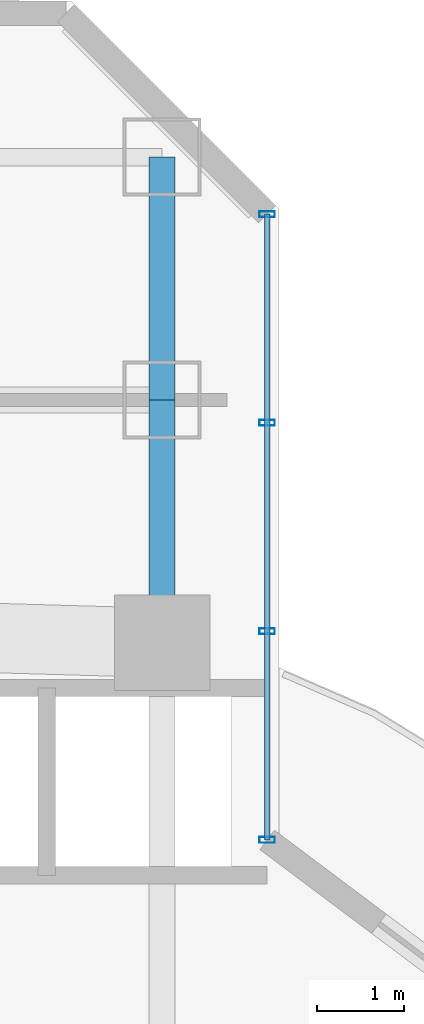
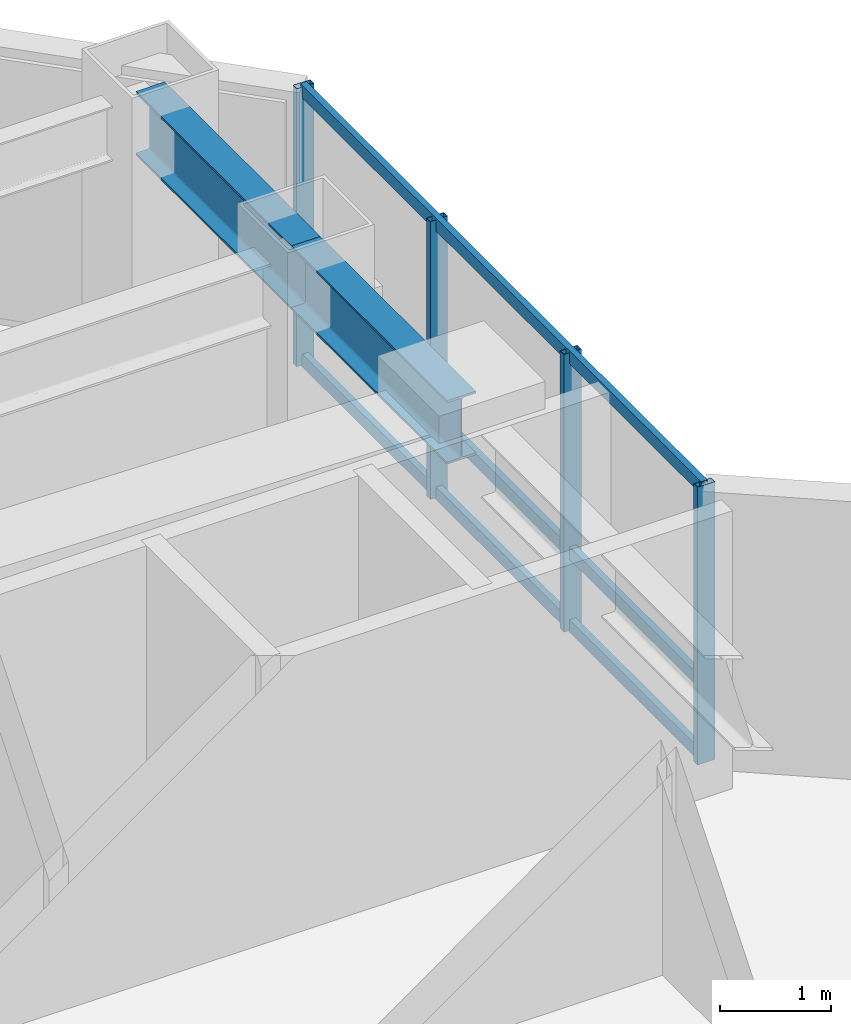
# One storey, part 25 of 36: 7 members, 2 beams, 1 element without a shape of its own.
"""IFC4 building model written with IfcOpenShell, lengths in metres."""

from ifc_helpers import new_model, si_unit, direction, frame, origin, origin_2d, place, context, subcontext, project, spatial, hollow_rectangle, i_section, extrude, material, layer, layer_set, material_profile, profile_set, type_object, element, aggregate, save


model = new_model("IFC4")

# Units and contexts
model_context = context("Model", 3, precision=1e-05, world=origin(), true_north=direction((0.0, 1.0)))
body_context = subcontext(model_context, "Body", "Model", "MODEL_VIEW")
ifc_project = project(units=[si_unit("LENGTHUNIT", "METRE"), si_unit("AREAUNIT", "SQUARE_METRE"), si_unit("VOLUMEUNIT", "CUBIC_METRE"), si_unit("PLANEANGLEUNIT", "RADIAN"), si_unit("MASSUNIT", "GRAM", prefix="KILO")], contexts=[model_context])

# Site, building, storey
site_placement = place(None, origin())
site = spatial("IfcSite", under=ifc_project, at=site_placement, CompositionType="ELEMENT")
building_placement = place(site_placement, origin())
building = spatial("IfcBuilding", under=site, at=building_placement, Name="Hatsunagi Terrace Concourse", CompositionType="ELEMENT")
storey_placement = place(building_placement, frame((0.0, 0.0, 88.0)))
storey = spatial("IfcBuildingStorey", under=building, at=storey_placement, Name="L23", CompositionType="ELEMENT", Elevation=88.0)

# Curtain wall, members
ifc_material_1 = material(Name="Anodised Aluminium Alloy 6063-T5", Category="aluminium")
ifc_layer = layer(ifc_material_1, 0.199951171875)
ifc_layer_set = layer_set([ifc_layer], Name="HotelFacade_CW02")
curtain_wall_type = type_object("IfcCurtainWallType", Name="HotelFacade_CW02", PredefinedType="NOTDEFINED", material=ifc_layer_set)
curtain_wall_placement = place(storey_placement, origin())
curtain_wall = element("IfcCurtainWall", 1, at=curtain_wall_placement, inside=storey, type_object=curtain_wall_type, Name="Unitised Curtain Wall CW-02 CW-L23-13", PredefinedType="NOTDEFINED")
ifc_material_2 = material(Name="Anodised Aluminium Alloy 6063-T5", Category="aluminium")
ifc_material_profile_1 = material_profile(ifc_material_2, hollow_rectangle(XDim=0.070068359375, YDim=0.179931640625, WallThickness=0.00390625, at=origin_2d()), Name="ALU-MUL-180x70x4")
ifc_profile_set_1 = profile_set([ifc_material_profile_1], Name="Anodised Aluminium Alloy 6063-T5")
member_type_1 = type_object("IfcMemberType", Name="CurtainWallMullion_180x70", PredefinedType="MULLION", material=ifc_profile_set_1)
member_1_placement = place(storey_placement, frame((44.860107421875, 47.94189453125, 0.0), z_axis=(0.0, 0.0, 1.0), x_axis=(0.0, -1.0, 0.0)))
member_1 = element("IfcMember", 2, at=member_1_placement, type_object=member_type_1, Name="Curtain Wall Mullion MUL-02", PredefinedType="MULLION", context=body_context, shape_type="SweptSolid", body=[
    extrude(hollow_rectangle(XDim=0.070068359375, YDim=0.179931640625, WallThickness=0.00390625, at=origin_2d()), origin(), (0.0, 0.0, 1.0), 3.050048828125),
])
member_2_placement = place(storey_placement, frame((44.860107421875, 45.5380859375, 0.0), z_axis=(0.0, 0.0, 1.0), x_axis=(0.0, -1.0, 0.0)))
member_2 = element("IfcMember", 3, at=member_2_placement, type_object=member_type_1, Name="Curtain Wall Mullion MUL-02", PredefinedType="MULLION", context=body_context, shape_type="SweptSolid", body=[
    extrude(hollow_rectangle(XDim=0.070068359375, YDim=0.179931640625, WallThickness=0.00390625, at=origin_2d()), origin(), (0.0, 0.0, 1.0), 3.050048828125),
])
member_3_placement = place(storey_placement, frame((44.860107421875, 43.134033203125, 0.0), z_axis=(0.0, 0.0, 1.0), x_axis=(0.0, -1.0, 0.0)))
member_3 = element("IfcMember", 4, at=member_3_placement, type_object=member_type_1, Name="Curtain Wall Mullion MUL-02", PredefinedType="MULLION", context=body_context, shape_type="SweptSolid", body=[
    extrude(hollow_rectangle(XDim=0.070068359375, YDim=0.179931640625, WallThickness=0.00390625, at=origin_2d()), origin(), (0.0, 0.0, 1.0), 3.050048828125),
])
member_4_placement = place(storey_placement, frame((44.860107421875, 40.72998046875, 0.0), z_axis=(0.0, 0.0, 1.0), x_axis=(0.0, -1.0, 0.0)))
member_4 = element("IfcMember", 5, at=member_4_placement, type_object=member_type_1, Name="Curtain Wall Mullion MUL-02", PredefinedType="MULLION", context=body_context, shape_type="SweptSolid", body=[
    extrude(hollow_rectangle(XDim=0.070068359375, YDim=0.179931640625, WallThickness=0.00390625, at=origin_2d()), origin(), (0.0, 0.0, 1.0), 3.050048828125),
])
ifc_material_3 = material(Name="Anodised Aluminium Alloy 6063-T5", Category="aluminium")
ifc_material_profile_2 = material_profile(ifc_material_3, hollow_rectangle(XDim=0.06494140625, YDim=0.139892578125, WallThickness=0.00390625, at=origin_2d()), Name="ALU-TRN-140x65x4")
ifc_profile_set_2 = profile_set([ifc_material_profile_2], Name="Anodised Aluminium Alloy 6063-T5")
member_type_2 = type_object("IfcMemberType", Name="CurtainWallTransom_140x65", PredefinedType="USERDEFINED", material=ifc_profile_set_2)
member_5_placement = place(storey_placement, frame((44.860107421875, 47.94189453125, 0.050048828125), z_axis=(0.0, -1.0, 0.0), x_axis=(1.0, 0.0, 0.0)))
member_5 = element("IfcMember", 6, at=member_5_placement, type_object=member_type_2, Name="Curtain Wall Transom TRN-02", ObjectType="TRANSOM", PredefinedType="USERDEFINED", context=body_context, shape_type="SweptSolid", body=[
    extrude(hollow_rectangle(XDim=0.06494140625, YDim=0.139892578125, WallThickness=0.00390625, at=origin_2d()), origin(), (0.0, 0.0, 1.0), 7.2119140625),
])
member_6_placement = place(storey_placement, frame((44.860107421875, 47.94189453125, 0.85009765625), z_axis=(0.0, -1.0, 0.0), x_axis=(1.0, 0.0, 0.0)))
member_6 = element("IfcMember", 7, at=member_6_placement, type_object=member_type_2, Name="Curtain Wall Transom TRN-02", ObjectType="TRANSOM", PredefinedType="USERDEFINED", context=body_context, shape_type="SweptSolid", body=[
    extrude(hollow_rectangle(XDim=0.06494140625, YDim=0.139892578125, WallThickness=0.00390625, at=origin_2d()), origin(), (0.0, 0.0, 1.0), 7.2119140625),
])
member_7_placement = place(storey_placement, frame((44.860107421875, 47.94189453125, 3.0), z_axis=(0.0, -1.0, 0.0), x_axis=(1.0, 0.0, 0.0)))
member_7 = element("IfcMember", 8, at=member_7_placement, type_object=member_type_2, Name="Curtain Wall Transom TRN-02", ObjectType="TRANSOM", PredefinedType="USERDEFINED", context=body_context, shape_type="SweptSolid", body=[
    extrude(hollow_rectangle(XDim=0.06494140625, YDim=0.139892578125, WallThickness=0.00390625, at=origin_2d()), origin(), (0.0, 0.0, 1.0), 7.2119140625),
])
aggregate(curtain_wall, [member_1, member_2, member_3, member_4, member_5, member_6, member_7])

# Beams
ifc_material_4 = material(Name="Steel SN490B", Category="steel")
ifc_material_profile_3 = material_profile(ifc_material_4, i_section(OverallWidth=0.300048828125, OverallDepth=0.699951171875, WebThickness=0.012939453125, FlangeThickness=0.02392578125, FilletRadius=0.02197265625, at=origin_2d()), Name="H-700x300x13x24")
ifc_profile_set_3 = profile_set([ifc_material_profile_3], Name="Steel SN490B")
beam_type = type_object("IfcBeamType", Name="HotelFloorGirder_H_700x300", PredefinedType="BEAM", material=ifc_profile_set_3)
for number, where, z_axis, x_axis, name in (
    (9, (43.64990234375, 43.0, 2.699951171875), (0.0, 1.0, 0.0), (-1.0, 0.0, 0.0), "Beam G-04 BM-L23-CN3"),
    (10, (43.64990234375, 45.800048828125, 2.699951171875), (0.0, 1.0, 0.0), (-1.0, 0.0, 0.0), "Beam G-04 BM-L23-KN-WN6"),
):
    element("IfcBeam", number, at=place(storey_placement, frame(where, z_axis=z_axis, x_axis=x_axis)), inside=storey, type_object=beam_type, Name=name, PredefinedType="BEAM", context=body_context, shape_type="SweptSolid", body=[
        extrude(i_section(OverallWidth=0.300048828125, OverallDepth=0.699951171875, WebThickness=0.012939453125, FlangeThickness=0.02392578125, FilletRadius=0.02197265625, at=origin_2d()), origin(), (0.0, 0.0, 1.0), 2.800048828125),
    ])

save(model, "model.ifc")
